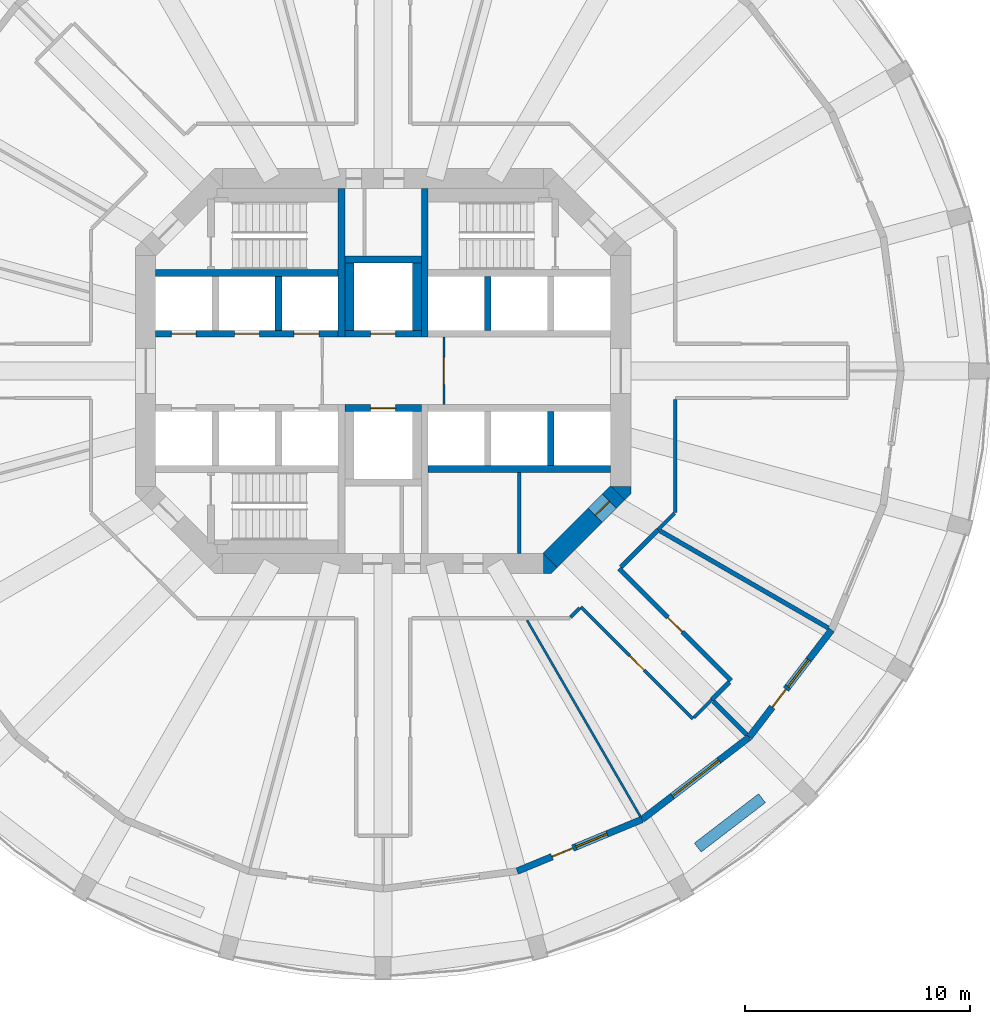
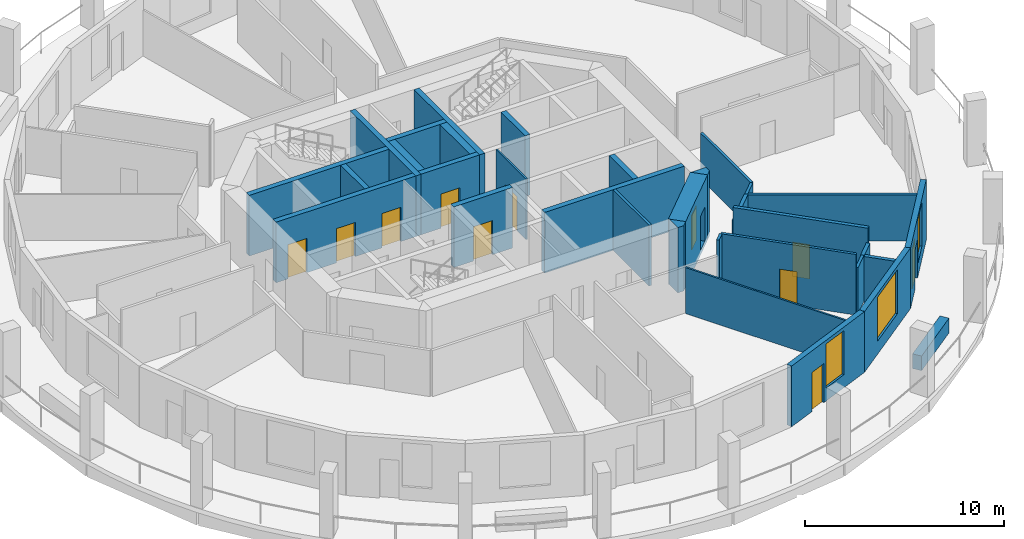
# One storey, part 4 of 9: 33 walls, 11 doors, 3 windows, 14 openings.
"""IFC4 building model written with IfcOpenShell, lengths in metres."""

from ifc_helpers import new_model, si_unit, direction, frame, frame_2d, origin, place, context, subcontext, project, spatial, polyline, rectangle, outline, extrude, material, layer, layer_set, type_object, element, fill, save


model = new_model("IFC4")

# Units and contexts
model_context = context("Model", 3, precision=1e-05, world=origin(), true_north=direction((0.0, 1.0)))
body_context = subcontext(model_context, "Body", "Model", "MODEL_VIEW")
ifc_project = project(units=[si_unit("LENGTHUNIT", "METRE"), si_unit("AREAUNIT", "SQUARE_METRE"), si_unit("VOLUMEUNIT", "CUBIC_METRE"), si_unit("PLANEANGLEUNIT", "RADIAN"), si_unit("MASSUNIT", "GRAM", prefix="KILO")], contexts=[model_context])

# Site, building, storey
site_placement = place(None, origin())
site = spatial("IfcSite", under=ifc_project, at=site_placement, CompositionType="ELEMENT")
building_placement = place(site_placement, origin())
building = spatial("IfcBuilding", under=site, at=building_placement, Name="Torre Triforio", CompositionType="ELEMENT")
storey_placement = place(building_placement, frame((0.0, 0.0, 35.0)))
storey = spatial("IfcBuildingStorey", under=building, at=storey_placement, Name="L06", CompositionType="ELEMENT", Elevation=35.0)

# Walls
ifc_material_1 = material(Name="Concrete C60", Category="concrete")
ifc_layer_1 = layer(ifc_material_1, 0.300048828125)
ifc_layer_set_1 = layer_set([ifc_layer_1], Name="Concrete C60")
wall_type_1 = type_object("IfcWallType", Name="Core wall 300 mm C60 EI 120", PredefinedType="SHEAR", material=ifc_layer_set_1)
for number, where, z_axis, x_axis, name in (
    (1, (-1.85009765625, 1.5, 0.0), (0.0, 0.0, 1.0), (0.0, 1.0, 0.0), "Core wall"),
    (2, (1.85009765625, 1.5, 0.0), (0.0, 0.0, 1.0), (0.0, 1.0, 0.0), "Core wall"),
):
    element("IfcWall", number, at=place(storey_placement, frame(where, z_axis=z_axis, x_axis=x_axis)), inside=storey, type_object=wall_type_1, Name=name, PredefinedType="SHEAR", context=body_context, shape_type="SweptSolid", body=[
        extrude(rectangle(XDim=6.60009765625, YDim=0.300048828125, at=frame_2d((3.300048828125, 0.0))), origin(), (0.0, 0.0, 1.0), 3.719970703125),
    ])

# Wall, opening, door
ifc_layer_2 = layer(ifc_material_1, 0.89990234375)
ifc_layer_set_2 = layer_set([ifc_layer_2], Name="Concrete C60")
wall_type_2 = type_object("IfcWallType", Name="Core wall 900 mm C60 EI 120", PredefinedType="SHEAR", material=ifc_layer_set_2)
wall_1_placement = place(storey_placement, frame((10.418212890625, -5.418212890625, -0.280029296875), z_axis=(0.0, 0.0, 1.0), x_axis=(-0.707106781187, -0.707106781187, 0.0)))
wall_1 = element("IfcWall", 3, at=wall_1_placement, inside=storey, type_object=wall_type_2, Name="Core wall", PredefinedType="SHEAR", context=body_context, shape_type="SweptSolid", body=[
    extrude(rectangle(XDim=4.24267578125, YDim=0.89990234375, at=frame_2d((2.121337890625, 0.0))), origin(), (0.0, 0.0, 1.0), 4.0),
])
opening_1_placement = place(wall_1_placement, frame((0.52001953125, 0.0, 0.280029296875)))
opening_1 = element("IfcOpeningElement", 4, at=opening_1_placement, cuts=wall_1, Name="Opening SE-02", PredefinedType="OPENING", context=body_context, shape_type="SweptSolid", body=[
    extrude(rectangle(XDim=0.89990234375, YDim=2.10009765625, at=frame_2d((0.449951171875, 1.050048828125))), frame((0.0, 0.4599609375, 0.0), z_axis=(0.0, -1.0, 0.0), x_axis=(1.0, 0.0, 0.0)), (0.0, 0.0, 1.0), 0.919921875),
])
ifc_material_2 = material(Name="Hollow metal fire door leaf")
door_type_1 = type_object("IfcDoorType", Name="Room door 900 x 2100 EI 60", OperationType="NOTDEFINED", PredefinedType="DOOR", material=ifc_material_2)
door_1_placement = place(opening_1_placement, origin())
door_1 = element("IfcDoor", 5, at=door_1_placement, inside=storey, type_object=door_type_1, Name="Core door SE-02", OperationType="SINGLE_SWING_RIGHT", OverallHeight=2.10009765625, OverallWidth=0.89990234375, PredefinedType="DOOR", context=body_context, shape_type="SweptSolid", body=[
    extrude(rectangle(XDim=0.89990234375, YDim=2.10009765625, at=frame_2d((0.449951171875, 1.050048828125))), frame((0.0, 0.02490234375, 0.0), z_axis=(0.0, -1.0, 0.0), x_axis=(1.0, 0.0, 0.0)), (0.0, 0.0, 1.0), 0.050048828125),
])
fill(opening_1, door_1)

# Walls
wall_2_placement = place(storey_placement, frame((0.0, 0.0, -0.280029296875)))
element("IfcWall", 6, at=wall_2_placement, inside=storey, type_object=wall_type_2, Name="Core wall", PredefinedType="SHEAR", context=body_context, shape_type="SweptSolid", body=[
    extrude(outline(polyline([(7.472900390625, -9.0), (7.1298828125, -9.0), (7.1298828125, -8.1298828125), (7.736328125, -8.736328125), (7.472900390625, -9.0)])), origin(), (0.0, 0.0, 1.0), 4.0),
])
wall_3_placement = place(storey_placement, frame((0.0, 0.0, -0.280029296875)))
element("IfcWall", 7, at=wall_3_placement, inside=storey, type_object=wall_type_2, Name="Core wall", PredefinedType="SHEAR", context=body_context, shape_type="SweptSolid", body=[
    extrude(outline(polyline([(11.0, -5.472900390625), (10.736328125, -5.736328125), (10.1298828125, -5.1298828125), (11.0, -5.1298828125), (11.0, -5.472900390625)])), origin(), (0.0, 0.0, 1.0), 4.0),
])
ifc_material_3 = material(Name="Plasterboard on metal studs")
ifc_layer_3 = layer(ifc_material_3, 0.14990234375)
ifc_layer_set_3 = layer_set([ifc_layer_3], Name="Plasterboard on metal studs")
wall_type_3 = type_object("IfcWallType", Name="Corridor and tenancy wall 150 mm EI 60", PredefinedType="PARTITIONING", material=ifc_layer_set_3)
wall_4_placement = place(storey_placement, frame((14.600830078125, -14.600830078125, 0.0), z_axis=(0.0, 0.0, 1.0), x_axis=(-0.707106781187, -0.707106781187, 0.0)))
element("IfcWall", 8, at=wall_4_placement, inside=storey, type_object=wall_type_3, Name="Partition 2", PredefinedType="PARTITIONING", context=body_context, shape_type="SweptSolid", body=[
    extrude(rectangle(XDim=1.125, YDim=0.14990234375, at=frame_2d((0.5625, 0.0))), origin(), (0.0, 0.0, 1.0), 2.820068359375),
])

# Wall, opening, door
wall_5_placement = place(storey_placement, frame((13.752197265625, -15.449462890625, 0.0), z_axis=(0.0, 0.0, 1.0), x_axis=(-0.707089406061, 0.707124155885, 0.0)))
wall_5 = element("IfcWall", 9, at=wall_5_placement, inside=storey, type_object=wall_type_3, Name="Partition 3", PredefinedType="PARTITIONING", context=body_context, shape_type="SweptSolid", body=[
    extrude(rectangle(XDim=7.025634765625, YDim=0.14990234375, at=frame_2d((3.5126953125, 0.0))), origin(), (0.0, 0.0, 1.0), 3.719970703125),
])
opening_2_placement = place(wall_5_placement, frame((3.062744140625, 0.0, 0.0)))
opening_2 = element("IfcOpeningElement", 10, at=opening_2_placement, cuts=wall_5, Name="Opening N1-12", PredefinedType="OPENING", context=body_context, shape_type="SweptSolid", body=[
    extrude(rectangle(XDim=0.89990234375, YDim=2.10009765625, at=frame_2d((0.449951171875, 1.050048828125))), frame((0.0, 0.0849609375, 0.0), z_axis=(0.0, -1.0, 0.0), x_axis=(1.0, 0.0, 0.0)), (0.0, 0.0, 1.0), 0.169921875),
])
ifc_material_4 = material(Name="Timber", Category="wood")
door_type_2 = type_object("IfcDoorType", Name="Door 900 x 2100 single leaf EI 30", OperationType="NOTDEFINED", PredefinedType="DOOR", material=ifc_material_4)
door_2_placement = place(opening_2_placement, origin())
door_2 = element("IfcDoor", 11, at=door_2_placement, inside=storey, type_object=door_type_2, Name="Door N1-12", OperationType="SINGLE_SWING_LEFT", OverallHeight=2.10009765625, OverallWidth=0.89990234375, PredefinedType="DOOR", context=body_context, shape_type="SweptSolid", body=[
    extrude(rectangle(XDim=0.89990234375, YDim=2.10009765625, at=frame_2d((0.449951171875, 1.050048828125))), frame((0.0, 0.02490234375, 0.0), z_axis=(0.0, -1.0, 0.0), x_axis=(1.0, 0.0, 0.0)), (0.0, 0.0, 1.0), 0.050048828125),
])
fill(opening_2, door_2)

# Walls
wall_6_placement = place(storey_placement, frame((8.7314453125, -10.534423828125, 0.0), z_axis=(0.0, 0.0, 1.0), x_axis=(-0.707106781187, -0.707106781187, 0.0)))
element("IfcWall", 12, at=wall_6_placement, inside=storey, type_object=wall_type_3, Name="Partition 4", PredefinedType="PARTITIONING", context=body_context, shape_type="SweptSolid", body=[
    extrude(rectangle(XDim=0.57080078125, YDim=0.14990234375, at=frame_2d((0.285400390625, 0.0))), origin(), (0.0, 0.0, 1.0), 3.719970703125),
])
wall_7_placement = place(storey_placement, frame((12.97509765625, -1.27490234375, 0.0), z_axis=(0.0, 0.0, 1.0), x_axis=(0.0, -1.0, 0.0)))
element("IfcWall", 13, at=wall_7_placement, inside=storey, type_object=wall_type_3, Name="Partition 31", PredefinedType="PARTITIONING", context=body_context, shape_type="SweptSolid", body=[
    extrude(rectangle(XDim=5.01611328125, YDim=0.14990234375, at=frame_2d((2.508056640625, 0.0))), origin(), (0.0, 0.0, 1.0), 2.820068359375),
])
wall_8_placement = place(storey_placement, frame((12.93798828125, -6.327880859375, 0.0), z_axis=(0.0, 0.0, 1.0), x_axis=(-0.707106781187, -0.707106781187, 0.0)))
element("IfcWall", 14, at=wall_8_placement, inside=storey, type_object=wall_type_3, Name="Partition 32", PredefinedType="PARTITIONING", context=body_context, shape_type="SweptSolid", body=[
    extrude(rectangle(XDim=1.023681640625, YDim=0.14990234375, at=frame_2d((0.51171875, 0.0))), origin(), (0.0, 0.0, 1.0), 2.820068359375),
])

# Wall, opening, door
ifc_material_5 = material(Name="Block and board partition")
ifc_layer_4 = layer(ifc_material_5, 0.10009765625)
ifc_layer_set_4 = layer_set([ifc_layer_4], Name="Block and board partition")
wall_type_4 = type_object("IfcWallType", Name="Partition 100 mm EI 120", PredefinedType="PARTITIONING", material=ifc_layer_set_4)
wall_9_placement = place(storey_placement, frame((2.699951171875, -1.5, 0.0), z_axis=(0.0, 0.0, 1.0), x_axis=(0.0, 1.0, 0.0)))
wall_9 = element("IfcWall", 15, at=wall_9_placement, inside=storey, type_object=wall_type_4, Name="Partition", PredefinedType="PARTITIONING", context=body_context, shape_type="SweptSolid", body=[
    extrude(rectangle(XDim=3.0, YDim=0.10009765625, at=frame_2d((1.5, 0.0))), origin(), (0.0, 0.0, 1.0), 3.719970703125),
])
opening_3_placement = place(wall_9_placement, frame((0.89990234375, 0.0, 0.0)))
opening_3 = element("IfcOpeningElement", 16, at=opening_3_placement, cuts=wall_9, Name="Opening FF-E", PredefinedType="OPENING", context=body_context, shape_type="SweptSolid", body=[
    extrude(rectangle(XDim=1.199951171875, YDim=2.10009765625, at=frame_2d((0.60009765625, 1.050048828125))), frame((0.0, 0.06005859375, 0.0), z_axis=(0.0, -1.0, 0.0), x_axis=(1.0, 0.0, 0.0)), (0.0, 0.0, 1.0), 0.1201171875),
])
door_type_3 = type_object("IfcDoorType", Name="Fire-fighting lobby door 1200 x 2100 EI 60", OperationType="NOTDEFINED", PredefinedType="DOOR", material=ifc_material_2)
door_3_placement = place(opening_3_placement, origin())
door_3 = element("IfcDoor", 17, at=door_3_placement, inside=storey, type_object=door_type_3, Name="Core door FF-E", OperationType="SINGLE_SWING_RIGHT", OverallHeight=2.10009765625, OverallWidth=1.199951171875, PredefinedType="DOOR", context=body_context, shape_type="SweptSolid", body=[
    extrude(rectangle(XDim=1.199951171875, YDim=2.10009765625, at=frame_2d((0.60009765625, 1.050048828125))), frame((0.0, 0.02490234375, 0.0), z_axis=(0.0, -1.0, 0.0), x_axis=(1.0, 0.0, 0.0)), (0.0, 0.0, 1.0), 0.050048828125),
])
fill(opening_3, door_3)

# Walls
ifc_layer_5 = layer(ifc_material_3, 0.10009765625)
ifc_layer_set_5 = layer_set([ifc_layer_5], Name="Plasterboard on metal studs")
wall_type_5 = type_object("IfcWallType", Name="Partition 100 mm board on metal studs", PredefinedType="PARTITIONING", material=ifc_layer_set_5)
wall_10_placement = place(storey_placement, frame((6.393798828125, -11.07470703125, 0.0), z_axis=(0.0, 0.0, 1.0), x_axis=(0.500024592647, -0.866011204747, 0.0)))
element("IfcWall", 18, at=wall_10_placement, inside=storey, type_object=wall_type_5, Name="Partition 46", PredefinedType="PARTITIONING", context=body_context, shape_type="SweptSolid", body=[
    extrude(rectangle(XDim=10.048828125, YDim=0.10009765625, at=frame_2d((5.0244140625, 0.0))), origin(), (0.0, 0.0, 1.0), 2.820068359375),
])
ifc_layer_6 = layer(ifc_material_5, 0.14990234375)
ifc_layer_set_6 = layer_set([ifc_layer_6], Name="Block and board partition")
wall_type_6 = type_object("IfcWallType", Name="Partition 150 mm", PredefinedType="PARTITIONING", material=ifc_layer_set_6)
wall_11_placement = place(storey_placement, frame((6.050048828125, -8.10009765625, 0.0), z_axis=(0.0, 0.0, 1.0), x_axis=(0.0, 1.0, 0.0)))
element("IfcWall", 19, at=wall_11_placement, inside=storey, type_object=wall_type_6, Name="Partition", PredefinedType="PARTITIONING", context=body_context, shape_type="SweptSolid", body=[
    extrude(rectangle(XDim=3.60009765625, YDim=0.14990234375, at=frame_2d((1.800048828125, 0.0))), origin(), (0.0, 0.0, 1.0), 3.719970703125),
])
ifc_material_6 = material(Name="Masonry block", Category="masonry")
ifc_layer_7 = layer(ifc_material_6, 0.199951171875)
ifc_layer_set_7 = layer_set([ifc_layer_7], Name="Masonry block")
wall_type_7 = type_object("IfcWallType", Name="Plant room wall 200 mm block EI 120", PredefinedType="PARTITIONING", material=ifc_layer_set_7)
wall_12_placement = place(storey_placement, frame((15.378662109375, -13.822998046875, 0.0), z_axis=(0.0, 0.0, 1.0), x_axis=(-0.707106781187, -0.707106781187, 0.0)))
element("IfcWall", 20, at=wall_12_placement, inside=storey, type_object=wall_type_7, Name="Partition 1", PredefinedType="PARTITIONING", context=body_context, shape_type="SweptSolid", body=[
    extrude(rectangle(XDim=1.10009765625, YDim=0.199951171875, at=frame_2d((0.550048828125, 0.0))), origin(), (0.0, 0.0, 1.0), 2.820068359375),
])
wall_13_placement = place(storey_placement, frame((12.214111328125, -7.0517578125, 0.0), z_axis=(0.0, 0.0, 1.0), x_axis=(-0.707106781187, -0.707106781187, 0.0)))
element("IfcWall", 21, at=wall_13_placement, inside=storey, type_object=wall_type_7, Name="Partition 33", PredefinedType="PARTITIONING", context=body_context, shape_type="SweptSolid", body=[
    extrude(rectangle(XDim=2.350341796875, YDim=0.199951171875, at=frame_2d((1.17529296875, 0.0))), origin(), (0.0, 0.0, 1.0), 2.820068359375),
])

# Wall, opening, door
wall_14_placement = place(storey_placement, frame((10.4814453125, -8.784423828125, 0.0), z_axis=(0.0, 0.0, 1.0), x_axis=(0.707124155885, -0.707089406061, 0.0)))
wall_14 = element("IfcWall", 22, at=wall_14_placement, inside=storey, type_object=wall_type_7, Name="Partition 34", PredefinedType="PARTITIONING", context=body_context, shape_type="SweptSolid", body=[
    extrude(rectangle(XDim=7.025634765625, YDim=0.199951171875, at=frame_2d((3.5126953125, 0.0))), origin(), (0.0, 0.0, 1.0), 3.719970703125),
])
opening_4_placement = place(wall_14_placement, frame((3.062744140625, 0.0, 0.0)))
opening_4 = element("IfcOpeningElement", 23, at=opening_4_placement, cuts=wall_14, Name="Opening N1-13", PredefinedType="OPENING", context=body_context, shape_type="SweptSolid", body=[
    extrude(rectangle(XDim=0.89990234375, YDim=2.10009765625, at=frame_2d((0.449951171875, 1.050048828125))), frame((0.0, 0.10986328125, 0.0), z_axis=(0.0, -1.0, 0.0), x_axis=(1.0, 0.0, 0.0)), (0.0, 0.0, 1.0), 0.219970703125),
])
door_type_4 = type_object("IfcDoorType", Name="Door 900 x 2100 single leaf EI 60", OperationType="NOTDEFINED", PredefinedType="DOOR", material=ifc_material_2)
door_4_placement = place(opening_4_placement, origin())
door_4 = element("IfcDoor", 24, at=door_4_placement, inside=storey, type_object=door_type_4, Name="Door N1-13", OperationType="SINGLE_SWING_RIGHT", OverallHeight=2.10009765625, OverallWidth=0.89990234375, PredefinedType="DOOR", context=body_context, shape_type="SweptSolid", body=[
    extrude(rectangle(XDim=0.89990234375, YDim=2.10009765625, at=frame_2d((0.449951171875, 1.050048828125))), frame((0.0, 0.02490234375, 0.0), z_axis=(0.0, -1.0, 0.0), x_axis=(1.0, 0.0, 0.0)), (0.0, 0.0, 1.0), 0.050048828125),
])
fill(opening_4, door_4)

# Walls
wall_15_placement = place(storey_placement, frame((14.671630859375, -14.671630859375, 0.0), z_axis=(0.0, 0.0, 1.0), x_axis=(0.707106781187, -0.707106781187, 0.0)))
element("IfcWall", 25, at=wall_15_placement, inside=storey, type_object=wall_type_7, Name="Partition 47", PredefinedType="PARTITIONING", context=body_context, shape_type="SweptSolid", body=[
    extrude(rectangle(XDim=2.087890625, YDim=0.199951171875, at=frame_2d((1.0439453125, 0.0))), origin(), (0.0, 0.0, 1.0), 2.820068359375),
])
wall_16_placement = place(storey_placement, frame((12.304931640625, -7.104248046875, 0.0), z_axis=(0.0, 0.0, 1.0), x_axis=(0.866017835858, -0.500013107804, 0.0)))
element("IfcWall", 26, at=wall_16_placement, inside=storey, type_object=wall_type_7, Name="Partition 48", PredefinedType="PARTITIONING", context=body_context, shape_type="SweptSolid", body=[
    extrude(rectangle(XDim=8.628173828125, YDim=0.199951171875, at=frame_2d((4.31396484375, 0.0))), origin(), (0.0, 0.0, 1.0), 2.820068359375),
])
ifc_material_7 = material(Name="Limestone cladding", Category="masonry")
ifc_layer_8 = layer(ifc_material_7, 0.10009765625)
ifc_material_8 = material(Name="Concrete C40", Category="concrete")
ifc_layer_9 = layer(ifc_material_8, 0.39990234375)
ifc_layer_set_8 = layer_set([ifc_layer_8, ifc_layer_9], Name="Limestone cladding / Concrete C40")
wall_type_8 = type_object("IfcWallType", Name="Planter wall 500", PredefinedType="PARAPET", material=ifc_layer_set_8)
wall_17_placement = place(storey_placement, frame((13.9736328125, -21.16748046875, 0.0), z_axis=(0.0, 0.0, 1.0), x_axis=(0.793359599829, 0.608753271334, 0.0)))
element("IfcWall", 27, at=wall_17_placement, inside=storey, type_object=wall_type_8, Name="Planter L06 bay 21", PredefinedType="PARAPET", context=body_context, shape_type="SweptSolid", body=[
    extrude(rectangle(XDim=3.599853515625, YDim=0.5, at=frame_2d((1.7998046875, 0.0))), origin(), (0.0, 0.0, 1.0), 0.89990234375),
])
ifc_layer_10 = layer(ifc_material_1, 0.300048828125)
ifc_layer_set_9 = layer_set([ifc_layer_10], Name="Concrete C60")
wall_type_9 = type_object("IfcWallType", Name="Shaft wall 300 mm C60 EI 120", PredefinedType="SOLIDWALL", material=ifc_layer_set_9)
for number, where, z_axis, x_axis, name in (
    (28, (-10.10009765625, 4.35009765625, 0.0), (0.0, 0.0, 1.0), (1.0, 0.0, 0.0), "Shaft wall"),
    (29, (2.0, -4.35009765625, 0.0), (0.0, 0.0, 1.0), (1.0, 0.0, 0.0), "Shaft wall"),
):
    element("IfcWall", number, at=place(storey_placement, frame(where, z_axis=z_axis, x_axis=x_axis)), inside=storey, type_object=wall_type_9, Name=name, PredefinedType="SOLIDWALL", context=body_context, shape_type="SweptSolid", body=[
        extrude(rectangle(XDim=8.10009765625, YDim=0.300048828125, at=frame_2d((4.050048828125, 0.0))), origin(), (0.0, 0.0, 1.0), 3.719970703125),
    ])

# Wall, openings, doors
wall_18_placement = place(storey_placement, frame((-10.10009765625, 1.64990234375, 0.0), z_axis=(0.0, 0.0, 1.0), x_axis=(1.0, 0.0, 0.0)))
wall_18 = element("IfcWall", 30, at=wall_18_placement, inside=storey, type_object=wall_type_9, Name="Shaft wall", PredefinedType="SOLIDWALL", context=body_context, shape_type="SweptSolid", body=[
    extrude(rectangle(XDim=8.10009765625, YDim=0.300048828125, at=frame_2d((4.050048828125, 0.0))), origin(), (0.0, 0.0, 1.0), 3.719970703125),
])
opening_5_placement = place(wall_18_placement, frame((0.699951171875, 0.0, 0.0)))
opening_5 = element("IfcOpeningElement", 31, at=opening_5_placement, cuts=wall_18, Name="Opening LD", PredefinedType="OPENING", context=body_context, shape_type="SweptSolid", body=[
    extrude(rectangle(XDim=1.10009765625, YDim=2.10009765625, at=frame_2d((0.550048828125, 1.050048828125))), frame((0.0, 0.159912109375, 0.0), z_axis=(0.0, -1.0, 0.0), x_axis=(1.0, 0.0, 0.0)), (0.0, 0.0, 1.0), 0.320068359375),
])
opening_6_placement = place(wall_18_placement, frame((3.5, 0.0, 0.0)))
opening_6 = element("IfcOpeningElement", 32, at=opening_6_placement, cuts=wall_18, Name="Opening LD", PredefinedType="OPENING", context=body_context, shape_type="SweptSolid", body=[
    extrude(rectangle(XDim=1.10009765625, YDim=2.10009765625, at=frame_2d((0.550048828125, 1.050048828125))), frame((0.0, 0.159912109375, 0.0), z_axis=(0.0, -1.0, 0.0), x_axis=(1.0, 0.0, 0.0)), (0.0, 0.0, 1.0), 0.320068359375),
])
opening_7_placement = place(wall_18_placement, frame((6.14990234375, 0.0, 0.0)))
opening_7 = element("IfcOpeningElement", 33, at=opening_7_placement, cuts=wall_18, Name="Opening LD", PredefinedType="OPENING", context=body_context, shape_type="SweptSolid", body=[
    extrude(rectangle(XDim=1.10009765625, YDim=2.10009765625, at=frame_2d((0.550048828125, 1.050048828125))), frame((0.0, 0.159912109375, 0.0), z_axis=(0.0, -1.0, 0.0), x_axis=(1.0, 0.0, 0.0)), (0.0, 0.0, 1.0), 0.320068359375),
])
door_type_5 = type_object("IfcDoorType", Name="Landing door 1100 x 2100 EI 60", OperationType="DOUBLE_DOOR_SLIDING", PredefinedType="DOOR", material=ifc_material_2)
door_5_placement = place(opening_5_placement, origin())
door_5 = element("IfcDoor", 34, at=door_5_placement, inside=storey, type_object=door_type_5, Name="Landing door LR1", OperationType="DOUBLE_DOOR_SLIDING", OverallHeight=2.10009765625, OverallWidth=1.10009765625, PredefinedType="DOOR", context=body_context, shape_type="SweptSolid", body=[
    extrude(rectangle(XDim=1.10009765625, YDim=2.10009765625, at=frame_2d((0.550048828125, 1.050048828125))), frame((0.0, 0.02490234375, 0.0), z_axis=(0.0, -1.0, 0.0), x_axis=(1.0, 0.0, 0.0)), (0.0, 0.0, 1.0), 0.050048828125),
])
fill(opening_5, door_5)
door_6_placement = place(opening_6_placement, origin())
door_6 = element("IfcDoor", 35, at=door_6_placement, inside=storey, type_object=door_type_5, Name="Landing door LR2", OperationType="DOUBLE_DOOR_SLIDING", OverallHeight=2.10009765625, OverallWidth=1.10009765625, PredefinedType="DOOR", context=body_context, shape_type="SweptSolid", body=[
    extrude(rectangle(XDim=1.10009765625, YDim=2.10009765625, at=frame_2d((0.550048828125, 1.050048828125))), frame((0.0, 0.02490234375, 0.0), z_axis=(0.0, -1.0, 0.0), x_axis=(1.0, 0.0, 0.0)), (0.0, 0.0, 1.0), 0.050048828125),
])
fill(opening_6, door_6)
door_7_placement = place(opening_7_placement, origin())
door_7 = element("IfcDoor", 36, at=door_7_placement, inside=storey, type_object=door_type_5, Name="Landing door LR3", OperationType="DOUBLE_DOOR_SLIDING", OverallHeight=2.10009765625, OverallWidth=1.10009765625, PredefinedType="DOOR", context=body_context, shape_type="SweptSolid", body=[
    extrude(rectangle(XDim=1.10009765625, YDim=2.10009765625, at=frame_2d((0.550048828125, 1.050048828125))), frame((0.0, 0.02490234375, 0.0), z_axis=(0.0, -1.0, 0.0), x_axis=(1.0, 0.0, 0.0)), (0.0, 0.0, 1.0), 0.050048828125),
])
fill(opening_7, door_7)

# Walls
for number, where, z_axis, x_axis, name in (
    (37, (-4.64990234375, 1.800048828125, 0.0), (0.0, 0.0, 1.0), (0.0, 1.0, 0.0), "Shaft wall"),
    (38, (4.64990234375, 1.800048828125, 0.0), (0.0, 0.0, 1.0), (0.0, 1.0, 0.0), "Shaft wall"),
    (39, (7.449951171875, -4.199951171875, 0.0), (0.0, 0.0, 1.0), (0.0, 1.0, 0.0), "Shaft wall"),
):
    element("IfcWall", number, at=place(storey_placement, frame(where, z_axis=z_axis, x_axis=x_axis)), inside=storey, type_object=wall_type_9, Name=name, PredefinedType="SOLIDWALL", context=body_context, shape_type="SweptSolid", body=[
        extrude(rectangle(XDim=2.39990234375, YDim=0.300048828125, at=frame_2d((1.199951171875, 0.0))), origin(), (0.0, 0.0, 1.0), 3.719970703125),
    ])

# Wall, opening, door
wall_19_placement = place(storey_placement, frame((-1.699951171875, 1.64990234375, 0.0), z_axis=(0.0, 0.0, 1.0), x_axis=(1.0, 0.0, 0.0)))
wall_19 = element("IfcWall", 40, at=wall_19_placement, inside=storey, type_object=wall_type_9, Name="Shaft wall", PredefinedType="SOLIDWALL", context=body_context, shape_type="SweptSolid", body=[
    extrude(rectangle(XDim=3.39990234375, YDim=0.300048828125, at=frame_2d((1.699951171875, 0.0))), origin(), (0.0, 0.0, 1.0), 3.719970703125),
])
opening_8_placement = place(wall_19_placement, frame((1.14990234375, 0.0, 0.0)))
opening_8 = element("IfcOpeningElement", 41, at=opening_8_placement, cuts=wall_19, Name="Opening LD", PredefinedType="OPENING", context=body_context, shape_type="SweptSolid", body=[
    extrude(rectangle(XDim=1.10009765625, YDim=2.10009765625, at=frame_2d((0.550048828125, 1.050048828125))), frame((0.0, 0.159912109375, 0.0), z_axis=(0.0, -1.0, 0.0), x_axis=(1.0, 0.0, 0.0)), (0.0, 0.0, 1.0), 0.320068359375),
])
door_8_placement = place(opening_8_placement, origin())
door_8 = element("IfcDoor", 42, at=door_8_placement, inside=storey, type_object=door_type_5, Name="Landing door FFL1", OperationType="DOUBLE_DOOR_SLIDING", OverallHeight=2.10009765625, OverallWidth=1.10009765625, PredefinedType="DOOR", context=body_context, shape_type="SweptSolid", body=[
    extrude(rectangle(XDim=1.10009765625, YDim=2.10009765625, at=frame_2d((0.550048828125, 1.050048828125))), frame((0.0, 0.02490234375, 0.0), z_axis=(0.0, -1.0, 0.0), x_axis=(1.0, 0.0, 0.0)), (0.0, 0.0, 1.0), 0.050048828125),
])
fill(opening_8, door_8)

wall_20_placement = place(storey_placement, frame((-1.699951171875, -1.64990234375, 0.0), z_axis=(0.0, 0.0, 1.0), x_axis=(1.0, 0.0, 0.0)))
wall_20 = element("IfcWall", 43, at=wall_20_placement, inside=storey, type_object=wall_type_9, Name="Shaft wall", PredefinedType="SOLIDWALL", context=body_context, shape_type="SweptSolid", body=[
    extrude(rectangle(XDim=3.39990234375, YDim=0.300048828125, at=frame_2d((1.699951171875, 0.0))), origin(), (0.0, 0.0, 1.0), 3.719970703125),
])
opening_9_placement = place(wall_20_placement, frame((1.14990234375, 0.0, 0.0)))
opening_9 = element("IfcOpeningElement", 44, at=opening_9_placement, cuts=wall_20, Name="Opening LD", PredefinedType="OPENING", context=body_context, shape_type="SweptSolid", body=[
    extrude(rectangle(XDim=1.10009765625, YDim=2.10009765625, at=frame_2d((0.550048828125, 1.050048828125))), frame((0.0, 0.159912109375, 0.0), z_axis=(0.0, -1.0, 0.0), x_axis=(1.0, 0.0, 0.0)), (0.0, 0.0, 1.0), 0.320068359375),
])
door_9_placement = place(opening_9_placement, origin())
door_9 = element("IfcDoor", 45, at=door_9_placement, inside=storey, type_object=door_type_5, Name="Landing door FFL2", OperationType="DOUBLE_DOOR_SLIDING", OverallHeight=2.10009765625, OverallWidth=1.10009765625, PredefinedType="DOOR", context=body_context, shape_type="SweptSolid", body=[
    extrude(rectangle(XDim=1.10009765625, YDim=2.10009765625, at=frame_2d((0.550048828125, 1.050048828125))), frame((0.0, 0.02490234375, 0.0), z_axis=(0.0, -1.0, 0.0), x_axis=(1.0, 0.0, 0.0)), (0.0, 0.0, 1.0), 0.050048828125),
])
fill(opening_9, door_9)

# Walls
wall_21_placement = place(storey_placement, frame((-1.699951171875, 4.949951171875, 0.0), z_axis=(0.0, 0.0, 1.0), x_axis=(1.0, 0.0, 0.0)))
element("IfcWall", 46, at=wall_21_placement, inside=storey, type_object=wall_type_9, Name="Shaft wall", PredefinedType="SOLIDWALL", context=body_context, shape_type="SweptSolid", body=[
    extrude(rectangle(XDim=3.39990234375, YDim=0.300048828125, at=frame_2d((1.699951171875, 0.0))), origin(), (0.0, 0.0, 1.0), 3.719970703125),
])
ifc_layer_11 = layer(ifc_material_1, 0.39990234375)
ifc_layer_set_10 = layer_set([ifc_layer_11], Name="Concrete C60")
wall_type_10 = type_object("IfcWallType", Name="Shaft wall 400 mm C60 EI 120", PredefinedType="SOLIDWALL", material=ifc_layer_set_10)
for number, where, z_axis, x_axis, name in (
    (47, (-1.5, 1.800048828125, 0.0), (0.0, 0.0, 1.0), (0.0, 1.0, 0.0), "Shaft wall"),
    (48, (1.5, 1.800048828125, 0.0), (0.0, 0.0, 1.0), (0.0, 1.0, 0.0), "Shaft wall"),
):
    element("IfcWall", number, at=place(storey_placement, frame(where, z_axis=z_axis, x_axis=x_axis)), inside=storey, type_object=wall_type_10, Name=name, PredefinedType="SOLIDWALL", context=body_context, shape_type="SweptSolid", body=[
        extrude(rectangle(XDim=3.0, YDim=0.39990234375, at=frame_2d((1.5, 0.0))), origin(), (0.0, 0.0, 1.0), 3.719970703125),
    ])

# Wall, openings, door, window
ifc_layer_12 = layer(ifc_material_7, 0.10009765625)
ifc_layer_13 = layer(ifc_material_8, 0.199951171875)
ifc_layer_set_11 = layer_set([ifc_layer_12, ifc_layer_13], Name="Limestone cladding / Concrete C40")
wall_type_11 = type_object("IfcWallType", Name="Stone-faced composite wall 300", PredefinedType="STANDARD", material=ifc_layer_set_11)
wall_22_placement = place(storey_placement, frame((5.952880859375, -22.21630859375, 0.0), z_axis=(0.0, 0.0, 1.0), x_axis=(0.923884511653, 0.382671411433, 0.0)))
wall_22 = element("IfcWall", 49, at=wall_22_placement, inside=storey, type_object=wall_type_11, Name="External wall L06 bay 20", PredefinedType="STANDARD", context=body_context, shape_type="SweptSolid", body=[
    extrude(rectangle(XDim=6.004150390625, YDim=0.300048828125, at=frame_2d((3.001953125, 0.0))), origin(), (0.0, 0.0, 1.0), 3.719970703125),
])
opening_10_placement = place(wall_22_placement, frame((1.677001953125, 0.0, 0.0)))
opening_10 = element("IfcOpeningElement", 50, at=opening_10_placement, cuts=wall_22, Name="Opening N1-D20", PredefinedType="OPENING", context=body_context, shape_type="SweptSolid", body=[
    extrude(rectangle(XDim=1.0, YDim=2.39990234375, at=frame_2d((0.5, 1.199951171875))), frame((0.0, 0.159912109375, 0.0), z_axis=(0.0, -1.0, 0.0), x_axis=(1.0, 0.0, 0.0)), (0.0, 0.0, 1.0), 0.320068359375),
])
opening_11_placement = place(wall_22_placement, frame((2.8271484375, 0.0, 0.800048828125)))
opening_11 = element("IfcOpeningElement", 51, at=opening_11_placement, cuts=wall_22, Name="Opening N1-W20A", PredefinedType="OPENING", context=body_context, shape_type="SweptSolid", body=[
    extrude(rectangle(XDim=1.5, YDim=2.699951171875, at=frame_2d((0.75, 1.35009765625))), frame((0.0, 0.159912109375, 0.0), z_axis=(0.0, -1.0, 0.0), x_axis=(1.0, 0.0, 0.0)), (0.0, 0.0, 1.0), 0.320068359375),
])
ifc_material_9 = material(Name="Aluminium frame with clear double glazing", Category="aluminium")
door_type_6 = type_object("IfcDoorType", Name="Loggia door 1000 x 2400", OperationType="NOTDEFINED", PredefinedType="DOOR", material=ifc_material_9)
door_10_placement = place(opening_10_placement, origin())
door_10 = element("IfcDoor", 52, at=door_10_placement, inside=storey, type_object=door_type_6, Name="Loggia door L06 bay 20", OperationType="SINGLE_SWING_RIGHT", OverallHeight=2.39990234375, OverallWidth=1.0, PredefinedType="DOOR", context=body_context, shape_type="SweptSolid", body=[
    extrude(rectangle(XDim=1.0, YDim=2.39990234375, at=frame_2d((0.5, 1.199951171875))), frame((0.0, 0.02490234375, 0.0), z_axis=(0.0, -1.0, 0.0), x_axis=(1.0, 0.0, 0.0)), (0.0, 0.0, 1.0), 0.050048828125),
])
fill(opening_10, door_10)
window_type_1 = type_object("IfcWindowType", Name="Side window 1500 x 2700", PartitioningType="SINGLE_PANEL", PredefinedType="WINDOW", material=ifc_material_9)
window_1_placement = place(opening_11_placement, origin())
window_1 = element("IfcWindow", 53, at=window_1_placement, inside=storey, type_object=window_type_1, Name="Side window EWN12 L06 bay 20", OverallHeight=2.699951171875, OverallWidth=1.5, PartitioningType="SINGLE_PANEL", PredefinedType="WINDOW", context=body_context, shape_type="SweptSolid", body=[
    extrude(rectangle(XDim=1.5, YDim=2.699951171875, at=frame_2d((0.75, 1.35009765625))), frame((0.0, 0.030029296875, 0.0), z_axis=(0.0, -1.0, 0.0), x_axis=(1.0, 0.0, 0.0)), (0.0, 0.0, 1.0), 0.06005859375),
])
fill(opening_11, window_1)

# Wall, opening, window
wall_23_placement = place(storey_placement, frame((11.5, -19.918701171875, 0.0), z_axis=(0.0, 0.0, 1.0), x_axis=(0.793339924758, 0.608778912074, 0.0)))
wall_23 = element("IfcWall", 54, at=wall_23_placement, inside=storey, type_object=wall_type_11, Name="External wall L06 bay 21", PredefinedType="STANDARD", context=body_context, shape_type="SweptSolid", body=[
    extrude(rectangle(XDim=6.004150390625, YDim=0.300048828125, at=frame_2d((3.001953125, 0.0))), origin(), (0.0, 0.0, 1.0), 3.719970703125),
])
opening_12_placement = place(wall_23_placement, frame((1.7021484375, 0.0, 0.800048828125)))
opening_12 = element("IfcOpeningElement", 55, at=opening_12_placement, cuts=wall_23, Name="Opening N1-W21", PredefinedType="OPENING", context=body_context, shape_type="SweptSolid", body=[
    extrude(rectangle(XDim=2.60009765625, YDim=2.699951171875, at=frame_2d((1.300048828125, 1.35009765625))), frame((0.0, 0.159912109375, 0.0), z_axis=(0.0, -1.0, 0.0), x_axis=(1.0, 0.0, 0.0)), (0.0, 0.0, 1.0), 0.320068359375),
])
window_type_2 = type_object("IfcWindowType", Name="Punched window 2600 x 2700", PartitioningType="DOUBLE_PANEL_VERTICAL", PredefinedType="WINDOW", material=ifc_material_9)
window_2_placement = place(opening_12_placement, origin())
window_2 = element("IfcWindow", 56, at=window_2_placement, inside=storey, type_object=window_type_2, Name="Window EWN2 L06 bay 21", OverallHeight=2.699951171875, OverallWidth=2.60009765625, PartitioningType="SINGLE_PANEL", PredefinedType="WINDOW", context=body_context, shape_type="SweptSolid", body=[
    extrude(rectangle(XDim=2.60009765625, YDim=2.699951171875, at=frame_2d((1.300048828125, 1.35009765625))), frame((0.0, 0.030029296875, 0.0), z_axis=(0.0, -1.0, 0.0), x_axis=(1.0, 0.0, 0.0)), (0.0, 0.0, 1.0), 0.06005859375),
])
fill(opening_12, window_2)

# Wall, openings, door, window
wall_24_placement = place(storey_placement, frame((16.263427734375, -16.263427734375, 0.0), z_axis=(0.0, 0.0, 1.0), x_axis=(0.608778912074, 0.793339924758, 0.0)))
wall_24 = element("IfcWall", 57, at=wall_24_placement, inside=storey, type_object=wall_type_11, Name="External wall L06 bay 22", PredefinedType="STANDARD", context=body_context, shape_type="SweptSolid", body=[
    extrude(rectangle(XDim=6.004150390625, YDim=0.300048828125, at=frame_2d((3.001953125, 0.0))), origin(), (0.0, 0.0, 1.0), 3.719970703125),
])
opening_13_placement = place(wall_24_placement, frame((1.677001953125, 0.0, 0.0)))
opening_13 = element("IfcOpeningElement", 58, at=opening_13_placement, cuts=wall_24, Name="Opening N1-D22", PredefinedType="OPENING", context=body_context, shape_type="SweptSolid", body=[
    extrude(rectangle(XDim=1.0, YDim=2.39990234375, at=frame_2d((0.5, 1.199951171875))), frame((0.0, 0.159912109375, 0.0), z_axis=(0.0, -1.0, 0.0), x_axis=(1.0, 0.0, 0.0)), (0.0, 0.0, 1.0), 0.320068359375),
])
opening_14_placement = place(wall_24_placement, frame((2.8271484375, 0.0, 0.800048828125)))
opening_14 = element("IfcOpeningElement", 59, at=opening_14_placement, cuts=wall_24, Name="Opening N1-W22A", PredefinedType="OPENING", context=body_context, shape_type="SweptSolid", body=[
    extrude(rectangle(XDim=1.5, YDim=2.699951171875, at=frame_2d((0.75, 1.35009765625))), frame((0.0, 0.159912109375, 0.0), z_axis=(0.0, -1.0, 0.0), x_axis=(1.0, 0.0, 0.0)), (0.0, 0.0, 1.0), 0.320068359375),
])
door_11_placement = place(opening_13_placement, origin())
door_11 = element("IfcDoor", 60, at=door_11_placement, inside=storey, type_object=door_type_6, Name="Loggia door L06 bay 22", OperationType="SINGLE_SWING_RIGHT", OverallHeight=2.39990234375, OverallWidth=1.0, PredefinedType="DOOR", context=body_context, shape_type="SweptSolid", body=[
    extrude(rectangle(XDim=1.0, YDim=2.39990234375, at=frame_2d((0.5, 1.199951171875))), frame((0.0, 0.02490234375, 0.0), z_axis=(0.0, -1.0, 0.0), x_axis=(1.0, 0.0, 0.0)), (0.0, 0.0, 1.0), 0.050048828125),
])
fill(opening_13, door_11)
window_3_placement = place(opening_14_placement, origin())
window_3 = element("IfcWindow", 61, at=window_3_placement, inside=storey, type_object=window_type_1, Name="Side window EWN12 L06 bay 22", OverallHeight=2.699951171875, OverallWidth=1.5, PartitioningType="SINGLE_PANEL", PredefinedType="WINDOW", context=body_context, shape_type="SweptSolid", body=[
    extrude(rectangle(XDim=1.5, YDim=2.699951171875, at=frame_2d((0.75, 1.35009765625))), frame((0.0, 0.030029296875, 0.0), z_axis=(0.0, -1.0, 0.0), x_axis=(1.0, 0.0, 0.0)), (0.0, 0.0, 1.0), 0.06005859375),
])
fill(opening_14, window_3)

save(model, "model.ifc")
